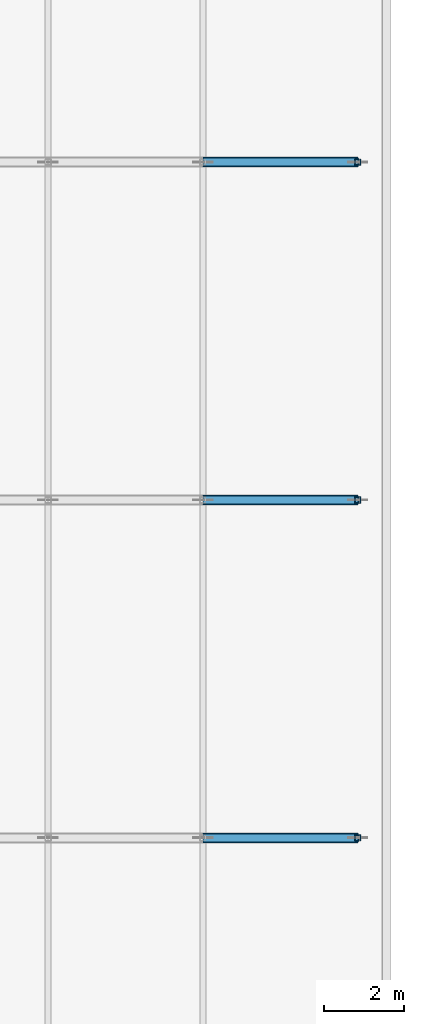
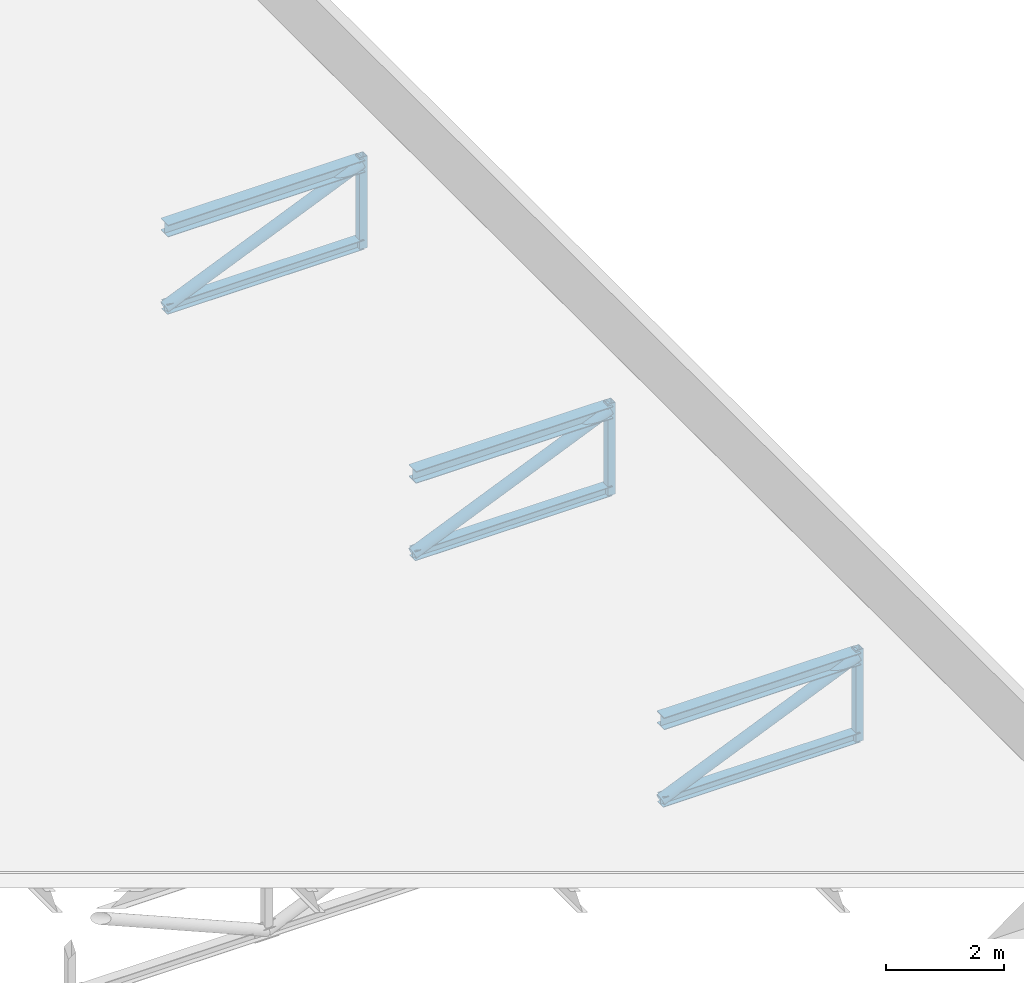
# One storey, part 18 of 38: 12 members.
"""IFC4 building model written with IfcOpenShell, lengths in metres."""

from ifc_helpers import new_model, si_unit, direction, frame, origin, origin_2d, place, context, subcontext, project, spatial, hollow_rectangle, hollow_circle, i_section, extrude, material, material_profile, profile_set, type_object, element, save


model = new_model("IFC4")

# Units and contexts
model_context = context("Model", 3, precision=1e-05, world=origin(), true_north=direction((0.0, 1.0)))
body_context = subcontext(model_context, "Body", "Model", "MODEL_VIEW")
ifc_project = project(units=[si_unit("LENGTHUNIT", "METRE"), si_unit("AREAUNIT", "SQUARE_METRE"), si_unit("VOLUMEUNIT", "CUBIC_METRE"), si_unit("PLANEANGLEUNIT", "RADIAN"), si_unit("MASSUNIT", "GRAM", prefix="KILO")], contexts=[model_context])

# Site, building, storey
site_placement = place(None, origin())
site = spatial("IfcSite", under=ifc_project, at=site_placement, CompositionType="ELEMENT")
building_placement = place(site_placement, origin())
building = spatial("IfcBuilding", under=site, at=building_placement, Name="Brinegate Botanical Conservatory", CompositionType="ELEMENT")
storey_placement = place(building_placement, frame((0.0, 0.0, 10.199951171875)))
storey = spatial("IfcBuildingStorey", under=building, at=storey_placement, Name="L03", CompositionType="ELEMENT", Elevation=10.199951171875)

# Members
ifc_material = material(Name="Structural steel Q355B / S355", Category="steel")
ifc_material_profile_1 = material_profile(ifc_material, hollow_circle(Radius=0.109619140625, WallThickness=0.010009765625, at=origin_2d()), Name="CHS 219x10")
ifc_profile_set_1 = profile_set([ifc_material_profile_1], Name="Structural steel Q355B / S355")
member_type_1 = type_object("IfcMemberType", Name="Member_TB-01", PredefinedType="BRACE", material=ifc_profile_set_1)
for number, where, z_axis, x_axis, name in (
    (1, (158.89990234375, 8.39990234375, -2.0), (0.919999828954, 0.0, 0.391918760362), (0.0, 1.0, 0.0), "Auditorium roof truss 1 web diagonal 6"),
    (2, (158.89990234375, 16.800048828125, -2.0), (0.919999828954, 0.0, 0.391918760362), (0.0, 1.0, 0.0), "Auditorium roof truss 2 web diagonal 6"),
    (3, (158.89990234375, 25.199951171875, -2.0), (0.919999828954, 0.0, 0.391918760362), (0.0, 1.0, 0.0), "Auditorium roof truss 3 web diagonal 6"),
):
    element("IfcMember", number, at=place(storey_placement, frame(where, z_axis=z_axis, x_axis=x_axis)), inside=storey, type_object=member_type_1, Name=name, PredefinedType="BRACE", context=body_context, shape_type="SweptSolid", body=[
        extrude(hollow_circle(Radius=0.109619140625, WallThickness=0.010009765625, at=origin_2d()), origin(), (0.0, 0.0, 1.0), 4.184814453125),
    ])
ifc_material_profile_2 = material_profile(ifc_material, i_section(OverallWidth=0.25, OverallDepth=0.25, WebThickness=0.009033203125, FlangeThickness=0.013916015625, at=origin_2d()), Name="HW 250x250x9x14")
ifc_profile_set_2 = profile_set([ifc_material_profile_2], Name="Structural steel Q355B / S355")
member_type_2 = type_object("IfcMemberType", Name="Member_TC-01", PredefinedType="CHORD", material=ifc_profile_set_2)
for number, where, z_axis, x_axis, name in (
    (4, (158.89990234375, 8.39990234375, -0.35986328125), (1.0, 0.0, 0.0), (0.0, 1.0, 0.0), "Auditorium roof truss 1 top chord 6"),
    (5, (158.89990234375, 16.800048828125, -0.35986328125), (1.0, 0.0, 0.0), (0.0, 1.0, 0.0), "Auditorium roof truss 2 top chord 6"),
    (6, (158.89990234375, 25.199951171875, -0.35986328125), (1.0, 0.0, 0.0), (0.0, 1.0, 0.0), "Auditorium roof truss 3 top chord 6"),
):
    element("IfcMember", number, at=place(storey_placement, frame(where, z_axis=z_axis, x_axis=x_axis)), inside=storey, type_object=member_type_2, Name=name, PredefinedType="CHORD", context=body_context, shape_type="SweptSolid", body=[
        extrude(i_section(OverallWidth=0.25, OverallDepth=0.25, WebThickness=0.009033203125, FlangeThickness=0.013916015625, at=origin_2d()), origin(), (0.0, 0.0, 1.0), 3.85009765625),
    ])
ifc_material_profile_3 = material_profile(ifc_material, i_section(OverallWidth=0.199951171875, OverallDepth=0.199951171875, WebThickness=0.008056640625, FlangeThickness=0.011962890625, at=origin_2d()), Name="HW 200x200x8x12")
ifc_profile_set_3 = profile_set([ifc_material_profile_3], Name="Structural steel Q355B / S355")
member_type_3 = type_object("IfcMemberType", Name="Member_TC-02", PredefinedType="CHORD", material=ifc_profile_set_3)
for number, where, z_axis, x_axis, name in (
    (7, (158.89990234375, 8.39990234375, -2.0), (1.0, 0.0, 0.0), (0.0, 1.0, 0.0), "Auditorium roof truss 1 bottom chord 6"),
    (8, (158.89990234375, 16.800048828125, -2.0), (1.0, 0.0, 0.0), (0.0, 1.0, 0.0), "Auditorium roof truss 2 bottom chord 6"),
    (9, (158.89990234375, 25.199951171875, -2.0), (1.0, 0.0, 0.0), (0.0, 1.0, 0.0), "Auditorium roof truss 3 bottom chord 6"),
):
    element("IfcMember", number, at=place(storey_placement, frame(where, z_axis=z_axis, x_axis=x_axis)), inside=storey, type_object=member_type_3, Name=name, PredefinedType="CHORD", context=body_context, shape_type="SweptSolid", body=[
        extrude(i_section(OverallWidth=0.199951171875, OverallDepth=0.199951171875, WebThickness=0.008056640625, FlangeThickness=0.011962890625, at=origin_2d()), origin(), (0.0, 0.0, 1.0), 3.85009765625),
    ])
ifc_material_profile_4 = material_profile(ifc_material, hollow_rectangle(XDim=0.14990234375, YDim=0.14990234375, WallThickness=0.008056640625, at=origin_2d()), Name="SHS 150x150x8")
ifc_profile_set_4 = profile_set([ifc_material_profile_4], Name="Structural steel Q355B / S355")
member_type_4 = type_object("IfcMemberType", Name="Member_TS-01", PredefinedType="STRUT", material=ifc_profile_set_4)
for number, where, z_axis, x_axis, name in (
    (10, (162.75, 8.39990234375, -2.099853515625), (0.0, 0.0, 1.0), (1.0, 0.0, 0.0), "Auditorium roof truss 1 vertical strut 7"),
    (11, (162.75, 16.800048828125, -2.099853515625), (0.0, 0.0, 1.0), (1.0, 0.0, 0.0), "Auditorium roof truss 2 vertical strut 7"),
    (12, (162.75, 25.199951171875, -2.099853515625), (0.0, 0.0, 1.0), (1.0, 0.0, 0.0), "Auditorium roof truss 3 vertical strut 7"),
):
    element("IfcMember", number, at=place(storey_placement, frame(where, z_axis=z_axis, x_axis=x_axis)), inside=storey, type_object=member_type_4, Name=name, PredefinedType="STRUT", context=body_context, shape_type="SweptSolid", body=[
        extrude(hollow_rectangle(XDim=0.14990234375, YDim=0.14990234375, WallThickness=0.008056640625, at=origin_2d()), origin(), (0.0, 0.0, 1.0), 1.89990234375),
    ])

save(model, "model.ifc")
